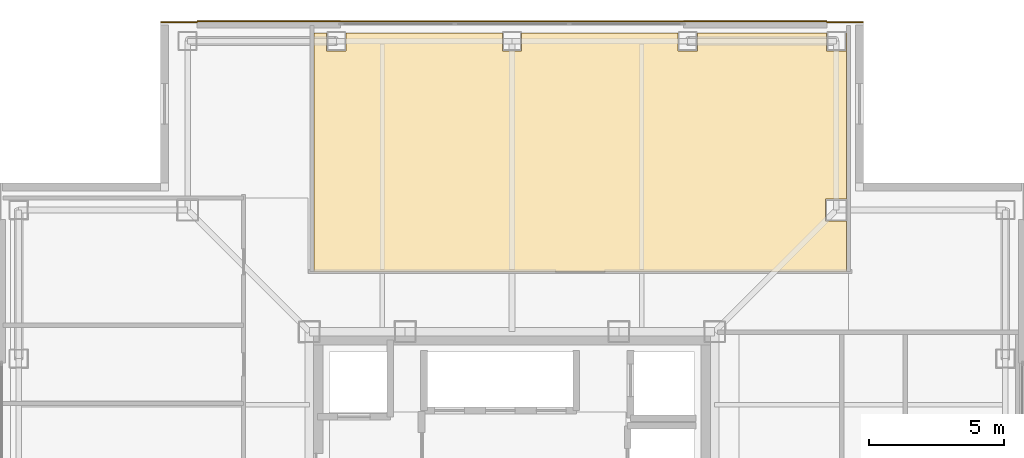
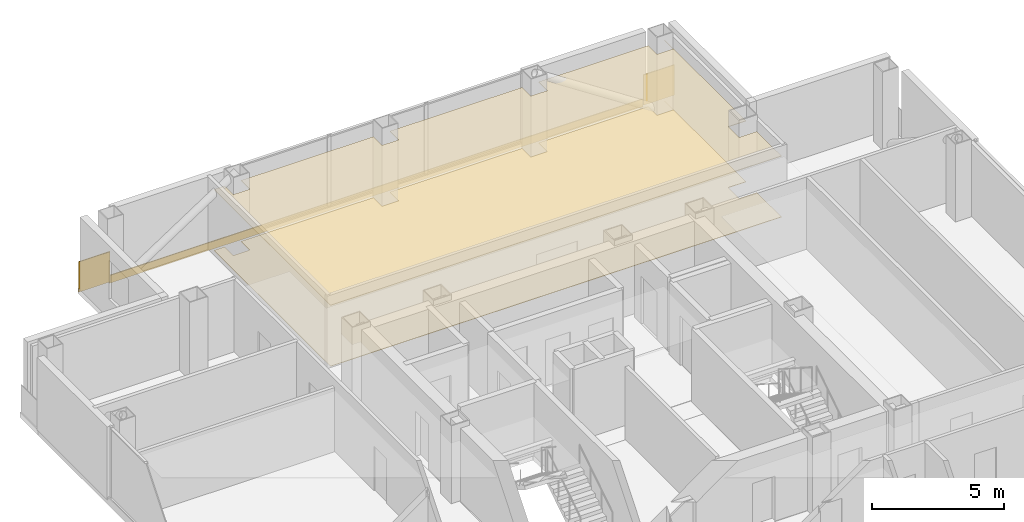
# One storey, part 16 of 16: 5 coverings.
"""IFC4 building model written with IfcOpenShell, lengths in metres."""

from ifc_helpers import new_model, si_unit, direction, frame, frame_2d, origin, place, context, subcontext, project, spatial, polyline, rectangle, outline, extrude, material, layer, layer_set, type_object, element, save


model = new_model("IFC4")

# Units and contexts
model_context = context("Model", 3, precision=1e-05, world=origin(), true_north=direction((0.0, 1.0)))
body_context = subcontext(model_context, "Body", "Model", "MODEL_VIEW")
ifc_project = project(units=[si_unit("LENGTHUNIT", "METRE"), si_unit("AREAUNIT", "SQUARE_METRE"), si_unit("VOLUMEUNIT", "CUBIC_METRE"), si_unit("PLANEANGLEUNIT", "RADIAN"), si_unit("MASSUNIT", "GRAM", prefix="KILO")], contexts=[model_context])

# Site, building, storey
site_placement = place(None, origin())
site = spatial("IfcSite", under=ifc_project, at=site_placement, CompositionType="ELEMENT")
building_placement = place(site_placement, origin())
building = spatial("IfcBuilding", under=site, at=building_placement, Name="Trevonay Congress Spire", CompositionType="ELEMENT")
storey_placement = place(building_placement, frame((0.0, 0.0, 290.0)))
storey = spatial("IfcBuildingStorey", under=building, at=storey_placement, Name="L76", CompositionType="ELEMENT", Elevation=290.0)

# Coverings
ifc_material_1 = material(Name="Acoustic Mineral Fibre Board", Category="gypsum")
ifc_layer_1 = layer(ifc_material_1, 0.02490234375, Name="Acoustic Mineral Fibre Board")
ifc_layer_set_1 = layer_set([ifc_layer_1], Name="Acoustic Mineral Fibre Board")
covering_type_1 = type_object("IfcCoveringType", Name="COV-CEIL-ACOUSTIC", PredefinedType="CEILING", material=ifc_layer_set_1)
covering_1_placement = place(storey_placement, frame((0.0, 0.0, 2.81005859375)))
element("IfcCovering", 1, at=covering_1_placement, inside=storey, type_object=covering_type_1, Name="L76 Sky Chamber Recital Auditorium acoustic suspended ceiling", PredefinedType="CEILING", context=body_context, shape_type="SweptSolid", body=[
    extrude(outline(polyline([(12.3701171875, 9.72998046875), (-7.320068359375, 9.72998046875), (-7.320068359375, 18.550048828125), (-6.860107421875, 18.550048828125), (-6.860107421875, 17.889892578125), (-6.139892578125, 17.889892578125), (-6.139892578125, 18.550048828125), (-0.360107421875, 18.550048828125), (-0.360107421875, 17.889892578125), (0.360107421875, 17.889892578125), (0.360107421875, 18.550048828125), (6.139892578125, 18.550048828125), (6.139892578125, 17.889892578125), (6.860107421875, 17.889892578125), (6.860107421875, 18.550048828125), (11.639892578125, 18.550048828125), (11.639892578125, 17.889892578125), (12.360107421875, 17.889892578125), (12.360107421875, 18.550048828125), (12.3701171875, 18.550048828125), (12.3701171875, 12.409912109375), (11.590087890625, 12.409912109375), (11.590087890625, 11.590087890625), (12.3701171875, 11.590087890625), (12.3701171875, 9.72998046875)])), origin(), (0.0, 0.0, 1.0), 0.02490234375),
])
ifc_material_2 = material(Name="Polished Granite Floor Tile", Category="masonry")
ifc_layer_2 = layer(ifc_material_2, 0.02001953125, Name="Polished Granite Floor Tile")
ifc_layer_set_2 = layer_set([ifc_layer_2], Name="Polished Granite Floor Tile")
covering_type_2 = type_object("IfcCoveringType", Name="COV-FLOOR-STONE", PredefinedType="FLOORING", material=ifc_layer_set_2)
covering_2_placement = place(storey_placement, origin())
element("IfcCovering", 2, at=covering_2_placement, inside=storey, type_object=covering_type_2, Name="L76 Sky Chamber Recital Auditorium floor finish", PredefinedType="FLOORING", context=body_context, shape_type="SweptSolid", body=[
    extrude(outline(polyline([(12.3701171875, 9.72998046875), (-7.320068359375, 9.72998046875), (-7.320068359375, 18.550048828125), (-6.860107421875, 18.550048828125), (-6.860107421875, 17.889892578125), (-6.139892578125, 17.889892578125), (-6.139892578125, 18.550048828125), (-0.360107421875, 18.550048828125), (-0.360107421875, 17.889892578125), (0.360107421875, 17.889892578125), (0.360107421875, 18.550048828125), (6.139892578125, 18.550048828125), (6.139892578125, 17.889892578125), (6.860107421875, 17.889892578125), (6.860107421875, 18.550048828125), (11.639892578125, 18.550048828125), (11.639892578125, 17.889892578125), (12.360107421875, 17.889892578125), (12.360107421875, 18.550048828125), (12.3701171875, 18.550048828125), (12.3701171875, 12.409912109375), (11.590087890625, 12.409912109375), (11.590087890625, 11.590087890625), (12.3701171875, 11.590087890625), (12.3701171875, 9.72998046875)])), origin(), (0.0, 0.0, 1.0), 0.02001953125),
])
ifc_material_3 = material(Name="Pale Anodised Aluminium EN AW-6063-T6", Category="aluminium")
ifc_layer_3 = layer(ifc_material_3, 0.0400390625, Name="Pale Anodised Aluminium EN AW-6063-T6")
ifc_layer_set_3 = layer_set([ifc_layer_3], Name="Pale Anodised Aluminium EN AW-6063-T6")
covering_type_3 = type_object("IfcCoveringType", Name="COV-SPANDREL-PALE-METAL", PredefinedType="CLADDING", material=ifc_layer_set_3)
covering_3_placement = place(storey_placement, frame((-11.64990234375, 18.97998046875, -0.239990234375), z_axis=(0.0, 0.0, 1.0), x_axis=(1.0, 0.0, 0.0)))
element("IfcCovering", 3, at=covering_3_placement, inside=storey, type_object=covering_type_3, Name="L76 N pale-metal slab-edge spandrel cladding", PredefinedType="CLADDING", context=body_context, shape_type="SweptSolid", body=[
    extrude(rectangle(XDim=23.2998046875, YDim=0.0400390625, at=frame_2d((11.64990234375, 0.0))), origin(), (0.0, 0.0, 1.0), 0.360107421875),
])
for number, where, z_axis, x_axis, name in (
    (4, (11.64990234375, 18.93994140625, -0.14990234375), (0.0, 0.0, 1.0), (1.0, 0.0, 0.0), "L76 NE corner pier spandrel cladding 2"),
    (5, (-11.64990234375, 18.93994140625, -0.14990234375), (0.0, 0.0, 1.0), (-1.0, 0.0, 0.0), "L76 NW corner pier spandrel cladding 2"),
):
    element("IfcCovering", number, at=place(storey_placement, frame(where, z_axis=z_axis, x_axis=x_axis)), inside=storey, type_object=covering_type_3, Name=name, PredefinedType="CLADDING", context=body_context, shape_type="SweptSolid", body=[
        extrude(rectangle(XDim=1.35009765625, YDim=0.0400390625, at=frame_2d((0.675048828125, 0.0))), origin(), (0.0, 0.0, 1.0), 1.39990234375),
    ])

save(model, "model.ifc")
